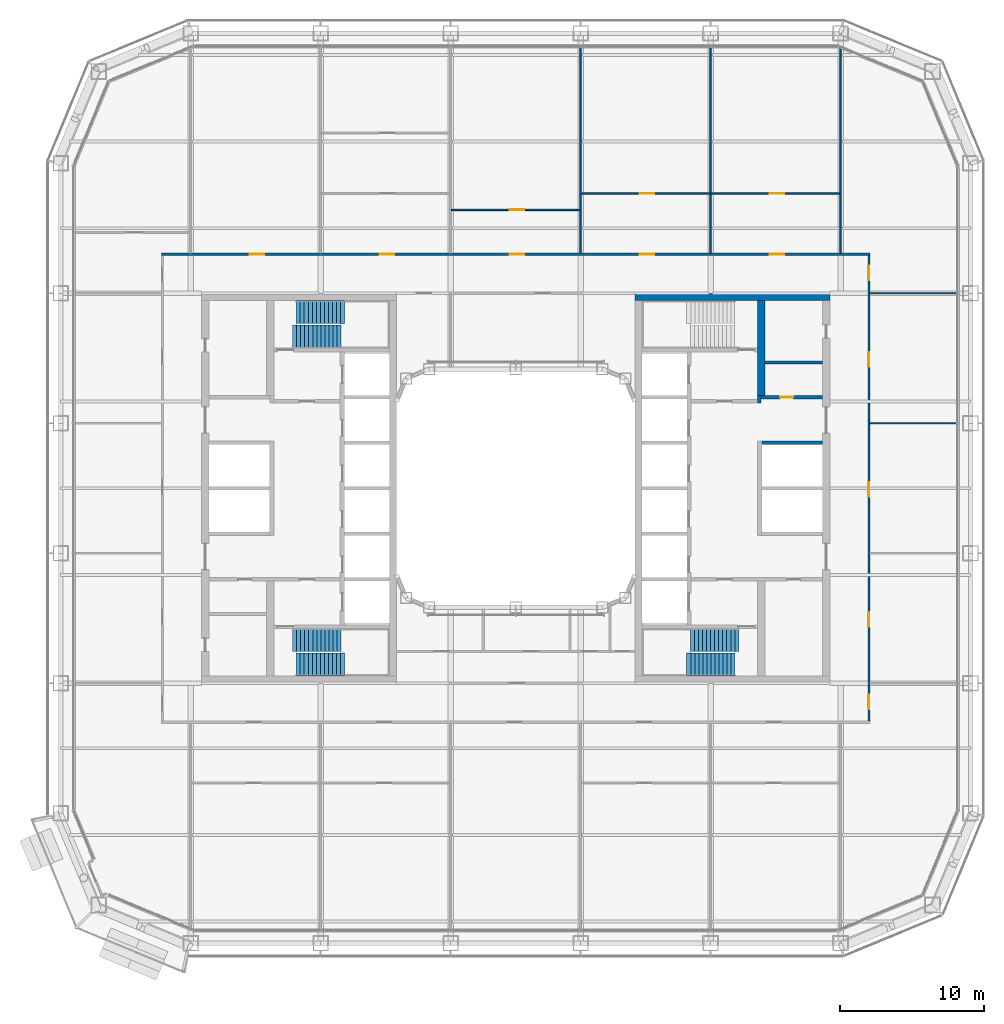
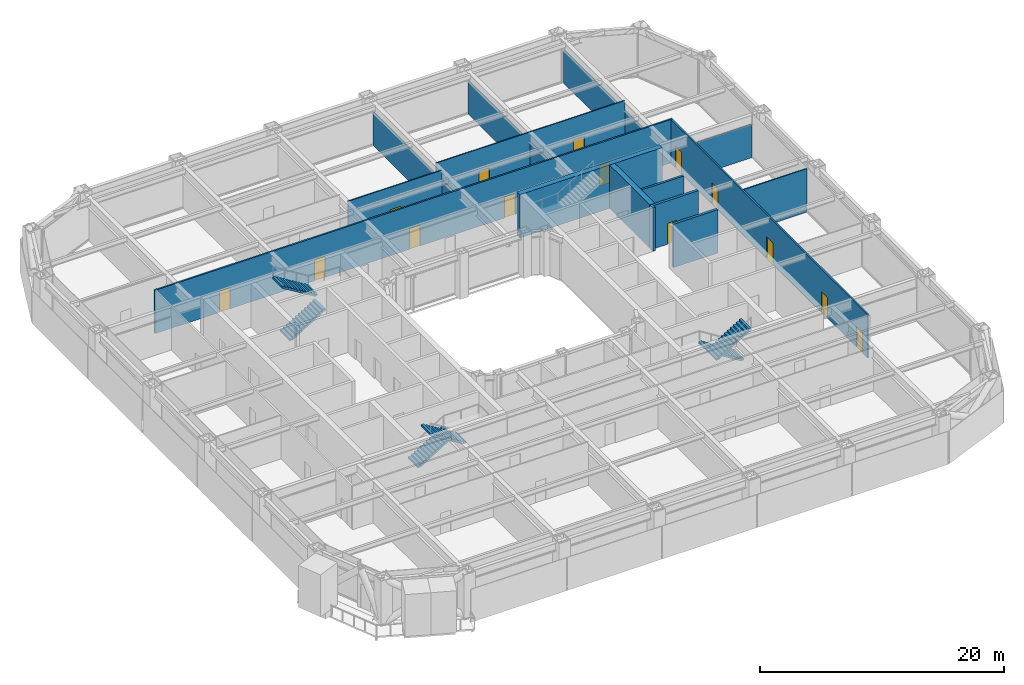
# One storey, part 16 of 27: 16 walls, 14 doors, 6 stair flights, 14 openings, 3 elements without a shape of their own.
"""IFC4 building model written with IfcOpenShell, lengths in metres."""

from ifc_helpers import new_model, si_unit, direction, frame, frame_2d, origin, place, context, subcontext, project, spatial, polyline, rectangle, outline, extrude, material, layer, layer_set, type_object, element, fill, aggregate, save


model = new_model("IFC4")

# Units and contexts
model_context = context("Model", 3, precision=1e-05, world=origin(), true_north=direction((0.0, 1.0)))
body_context = subcontext(model_context, "Body", "Model", "MODEL_VIEW")
ifc_project = project(units=[si_unit("LENGTHUNIT", "METRE"), si_unit("AREAUNIT", "SQUARE_METRE"), si_unit("VOLUMEUNIT", "CUBIC_METRE"), si_unit("PLANEANGLEUNIT", "RADIAN"), si_unit("MASSUNIT", "GRAM", prefix="KILO")], contexts=[model_context])

# Site, building, storey
site_placement = place(None, origin())
site = spatial("IfcSite", under=ifc_project, at=site_placement, CompositionType="ELEMENT")
building_placement = place(site_placement, origin())
building = spatial("IfcBuilding", under=site, at=building_placement, Name="Siwar Civic Tower", CompositionType="ELEMENT")
storey_placement = place(building_placement, frame((0.0, 0.0, 35.699951171875)))
storey = spatial("IfcBuildingStorey", under=building, at=storey_placement, Name="L07", CompositionType="ELEMENT", Elevation=35.699951171875)

# Walls
ifc_material_1 = material(Name="Gypsum board on steel studs", Category="steel")
ifc_layer_1 = layer(ifc_material_1, 0.199951171875)
ifc_layer_set_1 = layer_set([ifc_layer_1], Name="Gypsum board on steel studs")
wall_type_1 = type_object("IfcWallType", Name="CORE-PARTITION-200", PredefinedType="PARTITIONING", material=ifc_layer_set_1)
wall_1_placement = place(storey_placement, frame((17.25, 8.699951171875, 0.0), z_axis=(0.0, 0.0, 1.0), x_axis=(1.0, 0.0, 0.0)))
element("IfcWall", 1, at=wall_1_placement, inside=storey, type_object=wall_type_1, Name="Core partition E", PredefinedType="PARTITIONING", context=body_context, shape_type="SweptSolid", body=[
    extrude(rectangle(XDim=4.0, YDim=0.199951171875, at=frame_2d((2.0, 0.0))), origin(), (0.0, 0.0, 1.0), 4.35009765625),
])
ifc_material_2 = material(Name="Concrete C60/75", Category="concrete")
ifc_layer_2 = layer(ifc_material_2, 0.25)
ifc_layer_set_2 = layer_set([ifc_layer_2], Name="Concrete C60/75")
wall_type_2 = type_object("IfcWallType", Name="CORE-WALL-RC250", PredefinedType="SHEAR", material=ifc_layer_set_2)
wall_2_placement = place(storey_placement, frame((16.875, 5.89990234375, 0.0), z_axis=(0.0, 0.0, 1.0), x_axis=(0.0, 1.0, 0.0)))
element("IfcWall", 2, at=wall_2_placement, inside=storey, type_object=wall_type_2, Name="Core wall E", PredefinedType="SHEAR", context=body_context, shape_type="SweptSolid", body=[
    extrude(rectangle(XDim=0.525146484375, YDim=0.25, at=frame_2d((0.2626953125, 0.0))), origin(), (0.0, 0.0, 1.0), 4.35009765625),
])

# Wall, opening, door
wall_3_placement = place(storey_placement, frame((17.0, 6.300048828125, 0.0), z_axis=(0.0, 0.0, 1.0), x_axis=(1.0, 0.0, 0.0)))
wall_3 = element("IfcWall", 3, at=wall_3_placement, inside=storey, type_object=wall_type_2, Name="Core wall E", PredefinedType="SHEAR", context=body_context, shape_type="SweptSolid", body=[
    extrude(rectangle(XDim=4.25, YDim=0.25, at=frame_2d((2.125, 0.0))), origin(), (0.0, 0.0, 1.0), 4.35009765625),
])
opening_1_placement = place(wall_3_placement, frame((1.300048828125, 0.0, 0.0)))
opening_1 = element("IfcOpeningElement", 4, at=opening_1_placement, cuts=wall_3, Name="Opening L07-CE13", PredefinedType="OPENING", context=body_context, shape_type="SweptSolid", body=[
    extrude(rectangle(XDim=0.89990234375, YDim=2.10009765625, at=frame_2d((0.449951171875, 1.050048828125))), frame((0.0, 0.135009765625, 0.0), z_axis=(0.0, -1.0, 0.0), x_axis=(1.0, 0.0, 0.0)), (0.0, 0.0, 1.0), 0.27001953125),
])
ifc_material_3 = material(Name="Steel door leaf", Category="steel")
door_type_1 = type_object("IfcDoorType", Name="CORE-DOOR-ROOM", OperationType="SINGLE_SWING_LEFT", PredefinedType="DOOR", material=ifc_material_3)
door_1_placement = place(opening_1_placement, origin())
door_1 = element("IfcDoor", 5, at=door_1_placement, inside=storey, type_object=door_type_1, Name="Core room door L07-CE13", OperationType="SINGLE_SWING_RIGHT", OverallHeight=2.10009765625, OverallWidth=0.89990234375, PredefinedType="DOOR", context=body_context, shape_type="SweptSolid", body=[
    extrude(rectangle(XDim=0.89990234375, YDim=2.10009765625, at=frame_2d((0.449951171875, 1.050048828125))), frame((0.0, 0.02490234375, 0.0), z_axis=(0.0, -1.0, 0.0), x_axis=(1.0, 0.0, 0.0)), (0.0, 0.0, 1.0), 0.050048828125),
])
fill(opening_1, door_1)

# Walls
wall_4_placement = place(storey_placement, frame((17.050048828125, 3.14990234375, 0.0), z_axis=(0.0, 0.0, 1.0), x_axis=(1.0, 0.0, 0.0)))
element("IfcWall", 6, at=wall_4_placement, inside=storey, type_object=wall_type_2, Name="Core wall E", PredefinedType="SHEAR", context=body_context, shape_type="SweptSolid", body=[
    extrude(rectangle(XDim=4.199951171875, YDim=0.25, at=frame_2d((2.10009765625, 0.0))), origin(), (0.0, 0.0, 1.0), 4.35009765625),
])
ifc_material_4 = material(Name="Concrete C60/75", Category="concrete")
ifc_layer_3 = layer(ifc_material_4, 0.5)
ifc_layer_set_3 = layer_set([ifc_layer_3], Name="Concrete C60/75")
wall_type_3 = type_object("IfcWallType", Name="CORE-WALL-RC500", PredefinedType="SHEAR", material=ifc_layer_set_3)
wall_5_placement = place(storey_placement, frame((17.0, 6.425048828125, 0.0), z_axis=(0.0, 0.0, 1.0), x_axis=(0.0, 1.0, 0.0)))
element("IfcWall", 7, at=wall_5_placement, inside=storey, type_object=wall_type_3, Name="Core wall E", PredefinedType="SHEAR", context=body_context, shape_type="SweptSolid", body=[
    extrude(rectangle(XDim=6.574951171875, YDim=0.5, at=frame_2d((3.28759765625, 0.0))), origin(), (0.0, 0.0, 1.0), 4.35009765625),
])
wall_6_placement = place(storey_placement, frame((8.25, 13.25, 0.0), z_axis=(0.0, 0.0, 1.0), x_axis=(1.0, 0.0, 0.0)))
element("IfcWall", 8, at=wall_6_placement, inside=storey, type_object=wall_type_3, Name="Core wall E", PredefinedType="SHEAR", context=body_context, shape_type="SweptSolid", body=[
    extrude(rectangle(XDim=13.5, YDim=0.5, at=frame_2d((6.75, 0.0))), origin(), (0.0, 0.0, 1.0), 4.35009765625),
])

# Wall, openings, doors
ifc_material_5 = material(Name="Gypsum board on steel studs", Category="steel")
ifc_layer_4 = layer(ifc_material_5, 0.14990234375)
ifc_layer_set_4 = layer_set([ifc_layer_4], Name="Gypsum board on steel studs")
wall_type_4 = type_object("IfcWallType", Name="CORRIDOR PARTITION 150 EI 30", PredefinedType="PARTITIONING", material=ifc_layer_set_4)
wall_7_placement = place(storey_placement, frame((-24.52490234375, 16.199951171875, 0.0), z_axis=(0.0, 0.0, 1.0), x_axis=(1.0, 0.0, 0.0)))
wall_7 = element("IfcWall", 9, at=wall_7_placement, inside=storey, type_object=wall_type_4, Name="L07/wall/P16", PredefinedType="PARTITIONING", context=body_context, shape_type="SweptSolid", body=[
    extrude(rectangle(XDim=49.0498046875, YDim=0.14990234375, at=frame_2d((24.52490234375, 0.0))), origin(), (0.0, 0.0, 1.0), 4.35009765625),
])
opening_2_placement = place(wall_7_placement, frame((6.125, 0.0, 0.0)))
opening_2 = element("IfcOpeningElement", 10, at=opening_2_placement, cuts=wall_7, Name="Opening D1", PredefinedType="OPENING", context=body_context, shape_type="SweptSolid", body=[
    extrude(rectangle(XDim=1.0, YDim=2.10009765625, at=frame_2d((0.5, 1.050048828125))), frame((0.0, 0.0849609375, 0.0), z_axis=(0.0, -1.0, 0.0), x_axis=(1.0, 0.0, 0.0)), (0.0, 0.0, 1.0), 0.169921875),
])
opening_3_placement = place(wall_7_placement, frame((15.125, 0.0, 0.0)))
opening_3 = element("IfcOpeningElement", 11, at=opening_3_placement, cuts=wall_7, Name="Opening D1", PredefinedType="OPENING", context=body_context, shape_type="SweptSolid", body=[
    extrude(rectangle(XDim=1.0, YDim=2.10009765625, at=frame_2d((0.5, 1.050048828125))), frame((0.0, 0.0849609375, 0.0), z_axis=(0.0, -1.0, 0.0), x_axis=(1.0, 0.0, 0.0)), (0.0, 0.0, 1.0), 0.169921875),
])
opening_4_placement = place(wall_7_placement, frame((24.125, 0.0, 0.0)))
opening_4 = element("IfcOpeningElement", 12, at=opening_4_placement, cuts=wall_7, Name="Opening D1", PredefinedType="OPENING", context=body_context, shape_type="SweptSolid", body=[
    extrude(rectangle(XDim=1.0, YDim=2.10009765625, at=frame_2d((0.5, 1.050048828125))), frame((0.0, 0.0849609375, 0.0), z_axis=(0.0, -1.0, 0.0), x_axis=(1.0, 0.0, 0.0)), (0.0, 0.0, 1.0), 0.169921875),
])
opening_5_placement = place(wall_7_placement, frame((33.125, 0.0, 0.0)))
opening_5 = element("IfcOpeningElement", 13, at=opening_5_placement, cuts=wall_7, Name="Opening D1", PredefinedType="OPENING", context=body_context, shape_type="SweptSolid", body=[
    extrude(rectangle(XDim=1.0, YDim=2.10009765625, at=frame_2d((0.5, 1.050048828125))), frame((0.0, 0.0849609375, 0.0), z_axis=(0.0, -1.0, 0.0), x_axis=(1.0, 0.0, 0.0)), (0.0, 0.0, 1.0), 0.169921875),
])
opening_6_placement = place(wall_7_placement, frame((42.125, 0.0, 0.0)))
opening_6 = element("IfcOpeningElement", 14, at=opening_6_placement, cuts=wall_7, Name="Opening D1", PredefinedType="OPENING", context=body_context, shape_type="SweptSolid", body=[
    extrude(rectangle(XDim=1.0, YDim=2.10009765625, at=frame_2d((0.5, 1.050048828125))), frame((0.0, 0.0849609375, 0.0), z_axis=(0.0, -1.0, 0.0), x_axis=(1.0, 0.0, 0.0)), (0.0, 0.0, 1.0), 0.169921875),
])
ifc_material_6 = material(Name="Timber, painted", Category="wood")
door_type_2 = type_object("IfcDoorType", Name="DOOR 1000 X 2100 FD30", OperationType="SINGLE_SWING_LEFT", PredefinedType="DOOR", material=ifc_material_6)
door_2_placement = place(opening_2_placement, origin())
door_2 = element("IfcDoor", 15, at=door_2_placement, inside=storey, type_object=door_type_2, Name="L07-D01", OperationType="SINGLE_SWING_LEFT", OverallHeight=2.10009765625, OverallWidth=1.0, PredefinedType="DOOR", context=body_context, shape_type="SweptSolid", body=[
    extrude(rectangle(XDim=1.0, YDim=2.10009765625, at=frame_2d((0.5, 1.050048828125))), frame((0.0, 0.02490234375, 0.0), z_axis=(0.0, -1.0, 0.0), x_axis=(1.0, 0.0, 0.0)), (0.0, 0.0, 1.0), 0.050048828125),
])
fill(opening_2, door_2)
door_3_placement = place(opening_3_placement, origin())
door_3 = element("IfcDoor", 16, at=door_3_placement, inside=storey, type_object=door_type_2, Name="L07-D02", OperationType="SINGLE_SWING_RIGHT", OverallHeight=2.10009765625, OverallWidth=1.0, PredefinedType="DOOR", context=body_context, shape_type="SweptSolid", body=[
    extrude(rectangle(XDim=1.0, YDim=2.10009765625, at=frame_2d((0.5, 1.050048828125))), frame((0.0, 0.02490234375, 0.0), z_axis=(0.0, -1.0, 0.0), x_axis=(1.0, 0.0, 0.0)), (0.0, 0.0, 1.0), 0.050048828125),
])
fill(opening_3, door_3)
door_4_placement = place(opening_4_placement, origin())
door_4 = element("IfcDoor", 17, at=door_4_placement, inside=storey, type_object=door_type_2, Name="L07-D05", OperationType="SINGLE_SWING_LEFT", OverallHeight=2.10009765625, OverallWidth=1.0, PredefinedType="DOOR", context=body_context, shape_type="SweptSolid", body=[
    extrude(rectangle(XDim=1.0, YDim=2.10009765625, at=frame_2d((0.5, 1.050048828125))), frame((0.0, 0.02490234375, 0.0), z_axis=(0.0, -1.0, 0.0), x_axis=(1.0, 0.0, 0.0)), (0.0, 0.0, 1.0), 0.050048828125),
])
fill(opening_4, door_4)
door_5_placement = place(opening_5_placement, origin())
door_5 = element("IfcDoor", 18, at=door_5_placement, inside=storey, type_object=door_type_2, Name="L07-D07", OperationType="SINGLE_SWING_LEFT", OverallHeight=2.10009765625, OverallWidth=1.0, PredefinedType="DOOR", context=body_context, shape_type="SweptSolid", body=[
    extrude(rectangle(XDim=1.0, YDim=2.10009765625, at=frame_2d((0.5, 1.050048828125))), frame((0.0, 0.02490234375, 0.0), z_axis=(0.0, -1.0, 0.0), x_axis=(1.0, 0.0, 0.0)), (0.0, 0.0, 1.0), 0.050048828125),
])
fill(opening_5, door_5)
door_6_placement = place(opening_6_placement, origin())
door_6 = element("IfcDoor", 19, at=door_6_placement, inside=storey, type_object=door_type_2, Name="L07-D09", OperationType="SINGLE_SWING_LEFT", OverallHeight=2.10009765625, OverallWidth=1.0, PredefinedType="DOOR", context=body_context, shape_type="SweptSolid", body=[
    extrude(rectangle(XDim=1.0, YDim=2.10009765625, at=frame_2d((0.5, 1.050048828125))), frame((0.0, 0.02490234375, 0.0), z_axis=(0.0, -1.0, 0.0), x_axis=(1.0, 0.0, 0.0)), (0.0, 0.0, 1.0), 0.050048828125),
])
fill(opening_6, door_6)

wall_8_placement = place(storey_placement, frame((24.449951171875, -16.125, 0.0), z_axis=(0.0, 0.0, 1.0), x_axis=(0.0, 1.0, 0.0)))
wall_8 = element("IfcWall", 20, at=wall_8_placement, inside=storey, type_object=wall_type_4, Name="L07/wall/P42", PredefinedType="PARTITIONING", context=body_context, shape_type="SweptSolid", body=[
    extrude(rectangle(XDim=32.25, YDim=0.14990234375, at=frame_2d((16.125, 0.0))), origin(), (0.0, 0.0, 1.0), 4.35009765625),
])
opening_7_placement = place(wall_8_placement, frame((30.52490234375, 0.0, 0.0)))
opening_7 = element("IfcOpeningElement", 21, at=opening_7_placement, cuts=wall_8, Name="Opening D1", PredefinedType="OPENING", context=body_context, shape_type="SweptSolid", body=[
    extrude(rectangle(XDim=1.0, YDim=2.10009765625, at=frame_2d((0.5, 1.050048828125))), frame((0.0, 0.0849609375, 0.0), z_axis=(0.0, -1.0, 0.0), x_axis=(1.0, 0.0, 0.0)), (0.0, 0.0, 1.0), 0.169921875),
])
opening_8_placement = place(wall_8_placement, frame((0.824951171875, 0.0, 0.0)))
opening_8 = element("IfcOpeningElement", 22, at=opening_8_placement, cuts=wall_8, Name="Opening D1", PredefinedType="OPENING", context=body_context, shape_type="SweptSolid", body=[
    extrude(rectangle(XDim=1.0, YDim=2.10009765625, at=frame_2d((0.5, 1.050048828125))), frame((0.0, 0.0849609375, 0.0), z_axis=(0.0, -1.0, 0.0), x_axis=(1.0, 0.0, 0.0)), (0.0, 0.0, 1.0), 0.169921875),
])
opening_9_placement = place(wall_8_placement, frame((6.52490234375, 0.0, 0.0)))
opening_9 = element("IfcOpeningElement", 23, at=opening_9_placement, cuts=wall_8, Name="Opening D1", PredefinedType="OPENING", context=body_context, shape_type="SweptSolid", body=[
    extrude(rectangle(XDim=1.0, YDim=2.10009765625, at=frame_2d((0.5, 1.050048828125))), frame((0.0, 0.0849609375, 0.0), z_axis=(0.0, -1.0, 0.0), x_axis=(1.0, 0.0, 0.0)), (0.0, 0.0, 1.0), 0.169921875),
])
opening_10_placement = place(wall_8_placement, frame((15.52490234375, 0.0, 0.0)))
opening_10 = element("IfcOpeningElement", 24, at=opening_10_placement, cuts=wall_8, Name="Opening D1", PredefinedType="OPENING", context=body_context, shape_type="SweptSolid", body=[
    extrude(rectangle(XDim=1.0, YDim=2.10009765625, at=frame_2d((0.5, 1.050048828125))), frame((0.0, 0.0849609375, 0.0), z_axis=(0.0, -1.0, 0.0), x_axis=(1.0, 0.0, 0.0)), (0.0, 0.0, 1.0), 0.169921875),
])
opening_11_placement = place(wall_8_placement, frame((24.52490234375, 0.0, 0.0)))
opening_11 = element("IfcOpeningElement", 25, at=opening_11_placement, cuts=wall_8, Name="Opening D1", PredefinedType="OPENING", context=body_context, shape_type="SweptSolid", body=[
    extrude(rectangle(XDim=1.0, YDim=2.10009765625, at=frame_2d((0.5, 1.050048828125))), frame((0.0, 0.0849609375, 0.0), z_axis=(0.0, -1.0, 0.0), x_axis=(1.0, 0.0, 0.0)), (0.0, 0.0, 1.0), 0.169921875),
])
door_7_placement = place(opening_7_placement, origin())
door_7 = element("IfcDoor", 26, at=door_7_placement, inside=storey, type_object=door_type_2, Name="L07-D22", OperationType="SINGLE_SWING_RIGHT", OverallHeight=2.10009765625, OverallWidth=1.0, PredefinedType="DOOR", context=body_context, shape_type="SweptSolid", body=[
    extrude(rectangle(XDim=1.0, YDim=2.10009765625, at=frame_2d((0.5, 1.050048828125))), frame((0.0, 0.02490234375, 0.0), z_axis=(0.0, -1.0, 0.0), x_axis=(1.0, 0.0, 0.0)), (0.0, 0.0, 1.0), 0.050048828125),
])
fill(opening_7, door_7)
door_8_placement = place(opening_8_placement, origin())
door_8 = element("IfcDoor", 27, at=door_8_placement, inside=storey, type_object=door_type_2, Name="L07-D24", OperationType="SINGLE_SWING_RIGHT", OverallHeight=2.10009765625, OverallWidth=1.0, PredefinedType="DOOR", context=body_context, shape_type="SweptSolid", body=[
    extrude(rectangle(XDim=1.0, YDim=2.10009765625, at=frame_2d((0.5, 1.050048828125))), frame((0.0, 0.02490234375, 0.0), z_axis=(0.0, -1.0, 0.0), x_axis=(1.0, 0.0, 0.0)), (0.0, 0.0, 1.0), 0.050048828125),
])
fill(opening_8, door_8)
door_9_placement = place(opening_9_placement, origin())
door_9 = element("IfcDoor", 28, at=door_9_placement, inside=storey, type_object=door_type_2, Name="L07-D28", OperationType="SINGLE_SWING_RIGHT", OverallHeight=2.10009765625, OverallWidth=1.0, PredefinedType="DOOR", context=body_context, shape_type="SweptSolid", body=[
    extrude(rectangle(XDim=1.0, YDim=2.10009765625, at=frame_2d((0.5, 1.050048828125))), frame((0.0, 0.02490234375, 0.0), z_axis=(0.0, -1.0, 0.0), x_axis=(1.0, 0.0, 0.0)), (0.0, 0.0, 1.0), 0.050048828125),
])
fill(opening_9, door_9)
door_10_placement = place(opening_10_placement, origin())
door_10 = element("IfcDoor", 29, at=door_10_placement, inside=storey, type_object=door_type_2, Name="L07-D29", OperationType="SINGLE_SWING_LEFT", OverallHeight=2.10009765625, OverallWidth=1.0, PredefinedType="DOOR", context=body_context, shape_type="SweptSolid", body=[
    extrude(rectangle(XDim=1.0, YDim=2.10009765625, at=frame_2d((0.5, 1.050048828125))), frame((0.0, 0.02490234375, 0.0), z_axis=(0.0, -1.0, 0.0), x_axis=(1.0, 0.0, 0.0)), (0.0, 0.0, 1.0), 0.050048828125),
])
fill(opening_10, door_10)
door_11_placement = place(opening_11_placement, origin())
door_11 = element("IfcDoor", 30, at=door_11_placement, inside=storey, type_object=door_type_2, Name="L07-D30", OperationType="SINGLE_SWING_RIGHT", OverallHeight=2.10009765625, OverallWidth=1.0, PredefinedType="DOOR", context=body_context, shape_type="SweptSolid", body=[
    extrude(rectangle(XDim=1.0, YDim=2.10009765625, at=frame_2d((0.5, 1.050048828125))), frame((0.0, 0.02490234375, 0.0), z_axis=(0.0, -1.0, 0.0), x_axis=(1.0, 0.0, 0.0)), (0.0, 0.0, 1.0), 0.050048828125),
])
fill(opening_11, door_11)

# Walls
ifc_material_7 = material(Name="Gypsum board on steel studs", Category="steel")
ifc_layer_5 = layer(ifc_material_7, 0.10009765625)
ifc_layer_set_5 = layer_set([ifc_layer_5], Name="Gypsum board on steel studs")
wall_type_5 = type_object("IfcWallType", Name="PARTITION 100 GYPSUM", PredefinedType="PARTITIONING", material=ifc_layer_set_5)
wall_9_placement = place(storey_placement, frame((24.52490234375, 4.5, 0.0), z_axis=(0.0, 0.0, 1.0), x_axis=(1.0, 0.0, 0.0)))
element("IfcWall", 31, at=wall_9_placement, inside=storey, type_object=wall_type_5, Name="L07/wall/P12", PredefinedType="PARTITIONING", context=body_context, shape_type="SweptSolid", body=[
    extrude(rectangle(XDim=5.985107421875, YDim=0.10009765625, at=frame_2d((2.99267578125, 0.0))), origin(), (0.0, 0.0, 1.0), 4.35009765625),
])
wall_10_placement = place(storey_placement, frame((24.52490234375, 13.5, 0.0), z_axis=(0.0, 0.0, 1.0), x_axis=(1.0, 0.0, 0.0)))
element("IfcWall", 32, at=wall_10_placement, inside=storey, type_object=wall_type_5, Name="L07/wall/P14", PredefinedType="PARTITIONING", context=body_context, shape_type="SweptSolid", body=[
    extrude(rectangle(XDim=5.985107421875, YDim=0.10009765625, at=frame_2d((2.99267578125, 0.0))), origin(), (0.0, 0.0, 1.0), 3.35009765625),
])

# Wall, opening, door
wall_11_placement = place(storey_placement, frame((-4.449951171875, 19.280029296875, 0.0), z_axis=(0.0, 0.0, 1.0), x_axis=(1.0, 0.0, 0.0)))
wall_11 = element("IfcWall", 33, at=wall_11_placement, inside=storey, type_object=wall_type_5, Name="L07/wall/P18", PredefinedType="PARTITIONING", context=body_context, shape_type="SweptSolid", body=[
    extrude(rectangle(XDim=8.89990234375, YDim=0.10009765625, at=frame_2d((4.449951171875, 0.0))), origin(), (0.0, 0.0, 1.0), 4.35009765625),
])
opening_12_placement = place(wall_11_placement, frame((4.050048828125, 0.0, 0.0)))
opening_12 = element("IfcOpeningElement", 34, at=opening_12_placement, cuts=wall_11, Name="Opening D2", PredefinedType="OPENING", context=body_context, shape_type="SweptSolid", body=[
    extrude(rectangle(XDim=1.0, YDim=2.10009765625, at=frame_2d((0.5, 1.050048828125))), frame((0.0, 0.06005859375, 0.0), z_axis=(0.0, -1.0, 0.0), x_axis=(1.0, 0.0, 0.0)), (0.0, 0.0, 1.0), 0.1201171875),
])
ifc_material_8 = material(Name="Timber, painted", Category="wood")
door_type_3 = type_object("IfcDoorType", Name="DOOR 1000 X 2100", OperationType="SINGLE_SWING_LEFT", PredefinedType="DOOR", material=ifc_material_8)
door_12_placement = place(opening_12_placement, origin())
door_12 = element("IfcDoor", 35, at=door_12_placement, inside=storey, type_object=door_type_3, Name="L07-D06", OperationType="SINGLE_SWING_RIGHT", OverallHeight=2.10009765625, OverallWidth=1.0, PredefinedType="DOOR", context=body_context, shape_type="SweptSolid", body=[
    extrude(rectangle(XDim=1.0, YDim=2.10009765625, at=frame_2d((0.5, 1.050048828125))), frame((0.0, 0.02490234375, 0.0), z_axis=(0.0, -1.0, 0.0), x_axis=(1.0, 0.0, 0.0)), (0.0, 0.0, 1.0), 0.050048828125),
])
fill(opening_12, door_12)

# Wall, openings, doors
wall_12_placement = place(storey_placement, frame((4.550048828125, 20.39990234375, 0.0), z_axis=(0.0, 0.0, 1.0), x_axis=(1.0, 0.0, 0.0)))
wall_12 = element("IfcWall", 36, at=wall_12_placement, inside=storey, type_object=wall_type_5, Name="L07/wall/P20", PredefinedType="PARTITIONING", context=body_context, shape_type="SweptSolid", body=[
    extrude(rectangle(XDim=17.89990234375, YDim=0.10009765625, at=frame_2d((8.949951171875, 0.0))), origin(), (0.0, 0.0, 1.0), 4.35009765625),
])
opening_13_placement = place(wall_12_placement, frame((4.050048828125, 0.0, 0.0)))
opening_13 = element("IfcOpeningElement", 37, at=opening_13_placement, cuts=wall_12, Name="Opening D2", PredefinedType="OPENING", context=body_context, shape_type="SweptSolid", body=[
    extrude(rectangle(XDim=1.0, YDim=2.10009765625, at=frame_2d((0.5, 1.050048828125))), frame((0.0, 0.06005859375, 0.0), z_axis=(0.0, -1.0, 0.0), x_axis=(1.0, 0.0, 0.0)), (0.0, 0.0, 1.0), 0.1201171875),
])
opening_14_placement = place(wall_12_placement, frame((13.050048828125, 0.0, 0.0)))
opening_14 = element("IfcOpeningElement", 38, at=opening_14_placement, cuts=wall_12, Name="Opening D2", PredefinedType="OPENING", context=body_context, shape_type="SweptSolid", body=[
    extrude(rectangle(XDim=1.0, YDim=2.10009765625, at=frame_2d((0.5, 1.050048828125))), frame((0.0, 0.06005859375, 0.0), z_axis=(0.0, -1.0, 0.0), x_axis=(1.0, 0.0, 0.0)), (0.0, 0.0, 1.0), 0.1201171875),
])
door_13_placement = place(opening_13_placement, origin())
door_13 = element("IfcDoor", 39, at=door_13_placement, inside=storey, type_object=door_type_3, Name="L07-D08", OperationType="SINGLE_SWING_RIGHT", OverallHeight=2.10009765625, OverallWidth=1.0, PredefinedType="DOOR", context=body_context, shape_type="SweptSolid", body=[
    extrude(rectangle(XDim=1.0, YDim=2.10009765625, at=frame_2d((0.5, 1.050048828125))), frame((0.0, 0.02490234375, 0.0), z_axis=(0.0, -1.0, 0.0), x_axis=(1.0, 0.0, 0.0)), (0.0, 0.0, 1.0), 0.050048828125),
])
fill(opening_13, door_13)
door_14_placement = place(opening_14_placement, origin())
door_14 = element("IfcDoor", 40, at=door_14_placement, inside=storey, type_object=door_type_3, Name="L07-D10", OperationType="SINGLE_SWING_RIGHT", OverallHeight=2.10009765625, OverallWidth=1.0, PredefinedType="DOOR", context=body_context, shape_type="SweptSolid", body=[
    extrude(rectangle(XDim=1.0, YDim=2.10009765625, at=frame_2d((0.5, 1.050048828125))), frame((0.0, 0.02490234375, 0.0), z_axis=(0.0, -1.0, 0.0), x_axis=(1.0, 0.0, 0.0)), (0.0, 0.0, 1.0), 0.050048828125),
])
fill(opening_14, door_14)

# Walls
wall_13_placement = place(storey_placement, frame((4.5, 16.27490234375, 0.0), z_axis=(0.0, 0.0, 1.0), x_axis=(0.0, 1.0, 0.0)))
element("IfcWall", 41, at=wall_13_placement, inside=storey, type_object=wall_type_5, Name="L07/wall/P34", PredefinedType="PARTITIONING", context=body_context, shape_type="SweptSolid", body=[
    extrude(rectangle(XDim=14.235107421875, YDim=0.10009765625, at=frame_2d((7.11767578125, 0.0))), origin(), (0.0, 0.0, 1.0), 3.35009765625),
])
wall_14_placement = place(storey_placement, frame((13.5, 16.27490234375, 0.0), z_axis=(0.0, 0.0, 1.0), x_axis=(0.0, 1.0, 0.0)))
element("IfcWall", 42, at=wall_14_placement, inside=storey, type_object=wall_type_5, Name="L07/wall/P38", PredefinedType="PARTITIONING", context=body_context, shape_type="SweptSolid", body=[
    extrude(rectangle(XDim=4.0751953125, YDim=0.10009765625, at=frame_2d((2.03759765625, 0.0))), origin(), (0.0, 0.0, 1.0), 3.35009765625),
])
wall_15_placement = place(storey_placement, frame((13.5, 20.449951171875, 0.0), z_axis=(0.0, 0.0, 1.0), x_axis=(0.0, 1.0, 0.0)))
element("IfcWall", 43, at=wall_15_placement, inside=storey, type_object=wall_type_5, Name="L07/wall/P39", PredefinedType="PARTITIONING", context=body_context, shape_type="SweptSolid", body=[
    extrude(rectangle(XDim=10.06005859375, YDim=0.10009765625, at=frame_2d((5.030029296875, 0.0))), origin(), (0.0, 0.0, 1.0), 3.35009765625),
])
wall_16_placement = place(storey_placement, frame((22.5, 16.27490234375, 0.0), z_axis=(0.0, 0.0, 1.0), x_axis=(0.0, 1.0, 0.0)))
element("IfcWall", 44, at=wall_16_placement, inside=storey, type_object=wall_type_5, Name="L07/wall/P41", PredefinedType="PARTITIONING", context=body_context, shape_type="SweptSolid", body=[
    extrude(rectangle(XDim=14.153076171875, YDim=0.10009765625, at=frame_2d((7.07666015625, 0.0))), origin(), (0.0, 0.0, 1.0), 3.35009765625),
])

# Stair, stair flights
ifc_material_9 = material(Name="Concrete C40/50", Category="concrete")
stair_type = type_object("IfcStairType", Name="CORE-STAIR", PredefinedType="TWO_STRAIGHT_RUN_STAIR", material=ifc_material_9)
stair_1_placement = place(storey_placement, origin())
stair_1 = element("IfcStair", 45, at=stair_1_placement, inside=storey, type_object=stair_type, Name="Exit stair ST1", PredefinedType="TWO_STRAIGHT_RUN_STAIR")
ifc_material_10 = material(Name="Concrete C40/50", Category="concrete")
stair_flight_type = type_object("IfcStairFlightType", Name="CORE-STAIR-FLIGHT", PredefinedType="STRAIGHT", material=ifc_material_10)
stair_flight_1_placement = place(storey_placement, frame((-15.449951171875, 10.5, 0.0), z_axis=(0.0, 0.0, 1.0), x_axis=(1.0, 0.0, 0.0)))
stair_flight_1 = element("IfcStairFlight", 46, at=stair_flight_1_placement, type_object=stair_flight_type, Name="ST1 flight 1", NumberOfRisers=13, NumberOfTreads=12, PredefinedType="STRAIGHT", RiserHeight=0.173076923, TreadLength=0.28, context=body_context, shape_type="SweptSolid", body=[
    extrude(outline(polyline([(0.0, 0.0), (0.0, 0.173095703125), (0.280029296875, 0.173095703125), (0.280029296875, 0.34619140625), (0.56005859375, 0.34619140625), (0.56005859375, 0.519287109375), (0.840087890625, 0.519287109375), (0.840087890625, 0.6923828125), (1.1201171875, 0.6923828125), (1.1201171875, 0.865478515625), (1.39990234375, 0.865478515625), (1.39990234375, 1.03857421875), (1.679931640625, 1.03857421875), (1.679931640625, 1.21142578125), (1.9599609375, 1.21142578125), (1.9599609375, 1.384521484375), (2.239990234375, 1.384521484375), (2.239990234375, 1.5576171875), (2.52001953125, 1.5576171875), (2.52001953125, 1.730712890625), (2.800048828125, 1.730712890625), (2.800048828125, 1.90380859375), (3.080078125, 1.90380859375), (3.080078125, 2.076904296875), (3.360107421875, 2.076904296875), (3.360107421875, 2.25), (3.360107421875, 1.900634765625), (0.28515625, 0.0), (0.0, 0.0)])), frame((0.0, 0.800048828125, 0.0), z_axis=(0.0, -1.0, 0.0), x_axis=(1.0, 0.0, 0.0)), (0.0, 0.0, 1.0), 1.60009765625),
])
stair_flight_2_placement = place(storey_placement, frame((-11.840087890625, 12.199951171875, 2.25), z_axis=(0.0, 0.0, 1.0), x_axis=(-1.0, 0.0, 0.0)))
stair_flight_2 = element("IfcStairFlight", 47, at=stair_flight_2_placement, type_object=stair_flight_type, Name="ST1 flight 2", NumberOfRisers=13, NumberOfTreads=12, PredefinedType="STRAIGHT", RiserHeight=0.173076923, TreadLength=0.28, context=body_context, shape_type="SweptSolid", body=[
    extrude(outline(polyline([(0.0, 0.0), (0.0, 0.173095703125), (0.280029296875, 0.173095703125), (0.280029296875, 0.34619140625), (0.56005859375, 0.34619140625), (0.56005859375, 0.519287109375), (0.840087890625, 0.519287109375), (0.840087890625, 0.6923828125), (1.1201171875, 0.6923828125), (1.1201171875, 0.865478515625), (1.39990234375, 0.865478515625), (1.39990234375, 1.03857421875), (1.679931640625, 1.03857421875), (1.679931640625, 1.21142578125), (1.9599609375, 1.21142578125), (1.9599609375, 1.384521484375), (2.239990234375, 1.384521484375), (2.239990234375, 1.5576171875), (2.52001953125, 1.5576171875), (2.52001953125, 1.730712890625), (2.800048828125, 1.730712890625), (2.800048828125, 1.90380859375), (3.080078125, 1.90380859375), (3.080078125, 2.076904296875), (3.360107421875, 2.076904296875), (3.360107421875, 2.25), (3.360107421875, 1.900634765625), (0.28515625, 0.0), (0.0, 0.0)])), frame((0.0, 0.800048828125, 0.0), z_axis=(0.0, -1.0, 0.0), x_axis=(1.0, 0.0, 0.0)), (0.0, 0.0, 1.0), 1.60009765625),
])
aggregate(stair_1, [stair_flight_1, stair_flight_2])

stair_2_placement = place(storey_placement, origin())
stair_2 = element("IfcStair", 48, at=stair_2_placement, inside=storey, type_object=stair_type, Name="Exit stair ST2", PredefinedType="TWO_STRAIGHT_RUN_STAIR")
stair_flight_3_placement = place(storey_placement, frame((-15.449951171875, -10.5, 0.0), z_axis=(0.0, 0.0, 1.0), x_axis=(1.0, 0.0, 0.0)))
stair_flight_3 = element("IfcStairFlight", 49, at=stair_flight_3_placement, type_object=stair_flight_type, Name="ST2 flight 1", NumberOfRisers=13, NumberOfTreads=12, PredefinedType="STRAIGHT", RiserHeight=0.173076923, TreadLength=0.28, context=body_context, shape_type="SweptSolid", body=[
    extrude(outline(polyline([(0.0, 0.0), (0.0, 0.173095703125), (0.280029296875, 0.173095703125), (0.280029296875, 0.34619140625), (0.56005859375, 0.34619140625), (0.56005859375, 0.519287109375), (0.840087890625, 0.519287109375), (0.840087890625, 0.6923828125), (1.1201171875, 0.6923828125), (1.1201171875, 0.865478515625), (1.39990234375, 0.865478515625), (1.39990234375, 1.03857421875), (1.679931640625, 1.03857421875), (1.679931640625, 1.21142578125), (1.9599609375, 1.21142578125), (1.9599609375, 1.384521484375), (2.239990234375, 1.384521484375), (2.239990234375, 1.5576171875), (2.52001953125, 1.5576171875), (2.52001953125, 1.730712890625), (2.800048828125, 1.730712890625), (2.800048828125, 1.90380859375), (3.080078125, 1.90380859375), (3.080078125, 2.076904296875), (3.360107421875, 2.076904296875), (3.360107421875, 2.25), (3.360107421875, 1.900634765625), (0.28515625, 0.0), (0.0, 0.0)])), frame((0.0, 0.800048828125, 0.0), z_axis=(0.0, -1.0, 0.0), x_axis=(1.0, 0.0, 0.0)), (0.0, 0.0, 1.0), 1.60009765625),
])
stair_flight_4_placement = place(storey_placement, frame((-11.840087890625, -12.199951171875, 2.25), z_axis=(0.0, 0.0, 1.0), x_axis=(-1.0, 0.0, 0.0)))
stair_flight_4 = element("IfcStairFlight", 50, at=stair_flight_4_placement, type_object=stair_flight_type, Name="ST2 flight 2", NumberOfRisers=13, NumberOfTreads=12, PredefinedType="STRAIGHT", RiserHeight=0.173076923, TreadLength=0.28, context=body_context, shape_type="SweptSolid", body=[
    extrude(outline(polyline([(0.0, 0.0), (0.0, 0.173095703125), (0.280029296875, 0.173095703125), (0.280029296875, 0.34619140625), (0.56005859375, 0.34619140625), (0.56005859375, 0.519287109375), (0.840087890625, 0.519287109375), (0.840087890625, 0.6923828125), (1.1201171875, 0.6923828125), (1.1201171875, 0.865478515625), (1.39990234375, 0.865478515625), (1.39990234375, 1.03857421875), (1.679931640625, 1.03857421875), (1.679931640625, 1.21142578125), (1.9599609375, 1.21142578125), (1.9599609375, 1.384521484375), (2.239990234375, 1.384521484375), (2.239990234375, 1.5576171875), (2.52001953125, 1.5576171875), (2.52001953125, 1.730712890625), (2.800048828125, 1.730712890625), (2.800048828125, 1.90380859375), (3.080078125, 1.90380859375), (3.080078125, 2.076904296875), (3.360107421875, 2.076904296875), (3.360107421875, 2.25), (3.360107421875, 1.900634765625), (0.28515625, 0.0), (0.0, 0.0)])), frame((0.0, 0.800048828125, 0.0), z_axis=(0.0, -1.0, 0.0), x_axis=(1.0, 0.0, 0.0)), (0.0, 0.0, 1.0), 1.60009765625),
])
aggregate(stair_2, [stair_flight_3, stair_flight_4])

stair_3_placement = place(storey_placement, origin())
stair_3 = element("IfcStair", 51, at=stair_3_placement, inside=storey, type_object=stair_type, Name="Exit stair ST4", PredefinedType="TWO_STRAIGHT_RUN_STAIR")
stair_flight_5_placement = place(storey_placement, frame((15.449951171875, -10.5, 0.0), z_axis=(0.0, 0.0, 1.0), x_axis=(-1.0, 0.0, 0.0)))
stair_flight_5 = element("IfcStairFlight", 52, at=stair_flight_5_placement, type_object=stair_flight_type, Name="ST4 flight 1", NumberOfRisers=13, NumberOfTreads=12, PredefinedType="STRAIGHT", RiserHeight=0.173076923, TreadLength=0.28, context=body_context, shape_type="SweptSolid", body=[
    extrude(outline(polyline([(0.0, 0.0), (0.0, 0.173095703125), (0.280029296875, 0.173095703125), (0.280029296875, 0.34619140625), (0.56005859375, 0.34619140625), (0.56005859375, 0.519287109375), (0.840087890625, 0.519287109375), (0.840087890625, 0.6923828125), (1.1201171875, 0.6923828125), (1.1201171875, 0.865478515625), (1.39990234375, 0.865478515625), (1.39990234375, 1.03857421875), (1.679931640625, 1.03857421875), (1.679931640625, 1.21142578125), (1.9599609375, 1.21142578125), (1.9599609375, 1.384521484375), (2.239990234375, 1.384521484375), (2.239990234375, 1.5576171875), (2.52001953125, 1.5576171875), (2.52001953125, 1.730712890625), (2.800048828125, 1.730712890625), (2.800048828125, 1.90380859375), (3.080078125, 1.90380859375), (3.080078125, 2.076904296875), (3.360107421875, 2.076904296875), (3.360107421875, 2.25), (3.360107421875, 1.900634765625), (0.28515625, 0.0), (0.0, 0.0)])), frame((0.0, 0.800048828125, 0.0), z_axis=(0.0, -1.0, 0.0), x_axis=(1.0, 0.0, 0.0)), (0.0, 0.0, 1.0), 1.60009765625),
])
stair_flight_6_placement = place(storey_placement, frame((11.840087890625, -12.199951171875, 2.25), z_axis=(0.0, 0.0, 1.0), x_axis=(1.0, 0.0, 0.0)))
stair_flight_6 = element("IfcStairFlight", 53, at=stair_flight_6_placement, type_object=stair_flight_type, Name="ST4 flight 2", NumberOfRisers=13, NumberOfTreads=12, PredefinedType="STRAIGHT", RiserHeight=0.173076923, TreadLength=0.28, context=body_context, shape_type="SweptSolid", body=[
    extrude(outline(polyline([(0.0, 0.0), (0.0, 0.173095703125), (0.280029296875, 0.173095703125), (0.280029296875, 0.34619140625), (0.56005859375, 0.34619140625), (0.56005859375, 0.519287109375), (0.840087890625, 0.519287109375), (0.840087890625, 0.6923828125), (1.1201171875, 0.6923828125), (1.1201171875, 0.865478515625), (1.39990234375, 0.865478515625), (1.39990234375, 1.03857421875), (1.679931640625, 1.03857421875), (1.679931640625, 1.21142578125), (1.9599609375, 1.21142578125), (1.9599609375, 1.384521484375), (2.239990234375, 1.384521484375), (2.239990234375, 1.5576171875), (2.52001953125, 1.5576171875), (2.52001953125, 1.730712890625), (2.800048828125, 1.730712890625), (2.800048828125, 1.90380859375), (3.080078125, 1.90380859375), (3.080078125, 2.076904296875), (3.360107421875, 2.076904296875), (3.360107421875, 2.25), (3.360107421875, 1.900634765625), (0.28515625, 0.0), (0.0, 0.0)])), frame((0.0, 0.800048828125, 0.0), z_axis=(0.0, -1.0, 0.0), x_axis=(1.0, 0.0, 0.0)), (0.0, 0.0, 1.0), 1.60009765625),
])
aggregate(stair_3, [stair_flight_5, stair_flight_6])

save(model, "model.ifc")
